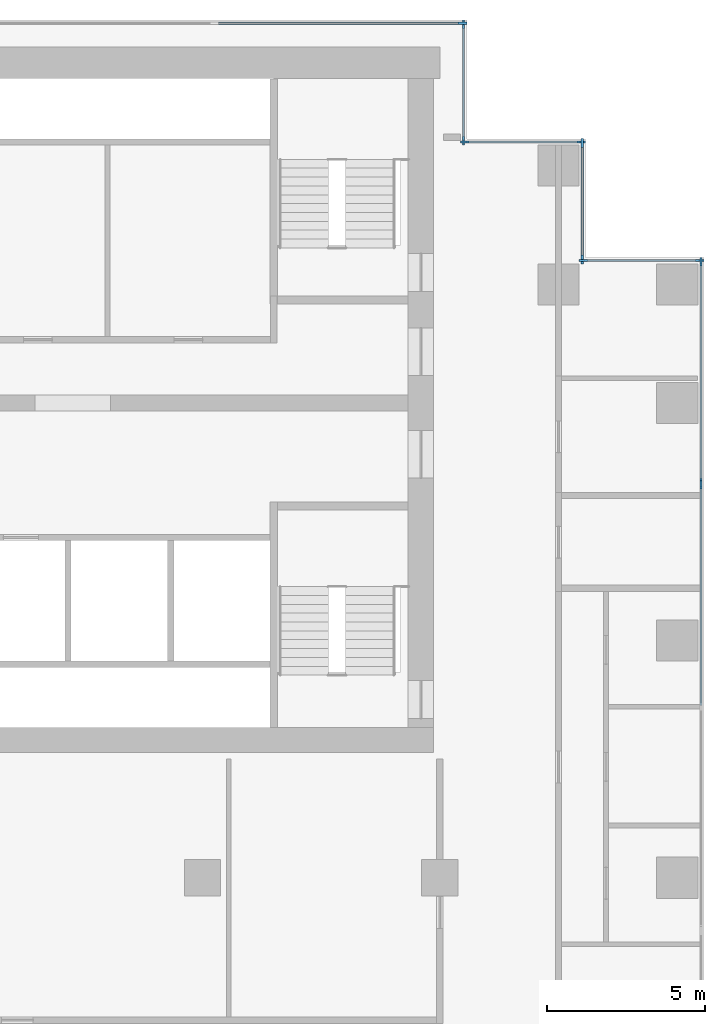
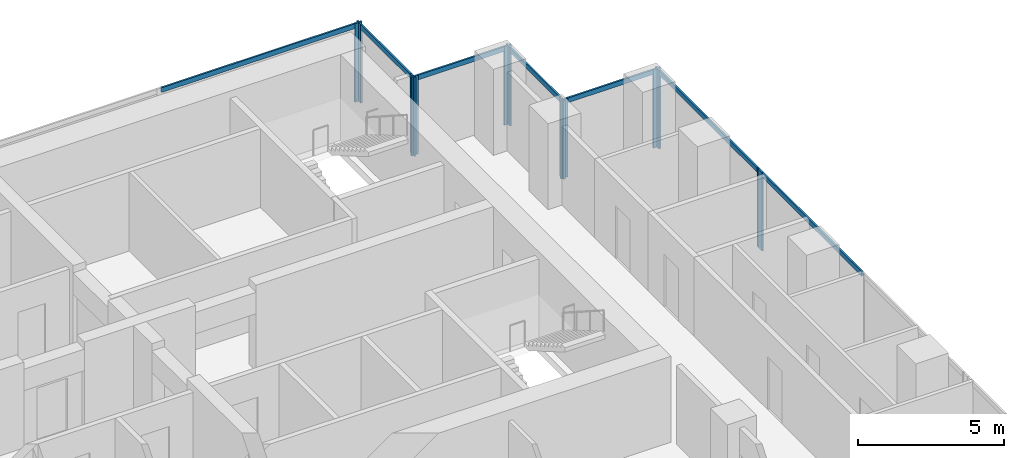
# One storey, part 5 of 10: 19 members, 7 elements without a shape of their own.
"""IFC4 building model written with IfcOpenShell, lengths in metres."""

from ifc_helpers import new_model, si_unit, direction, frame, origin, origin_2d, place, context, subcontext, project, spatial, rectangle, extrude, material, material_profile, profile_set, type_object, element, aggregate, save


model = new_model("IFC4")

# Units and contexts
model_context = context("Model", 3, precision=1e-05, world=origin(), true_north=direction((0.0, 1.0)))
body_context = subcontext(model_context, "Body", "Model", "MODEL_VIEW")
ifc_project = project(units=[si_unit("LENGTHUNIT", "METRE"), si_unit("AREAUNIT", "SQUARE_METRE"), si_unit("VOLUMEUNIT", "CUBIC_METRE"), si_unit("PLANEANGLEUNIT", "RADIAN"), si_unit("MASSUNIT", "GRAM", prefix="KILO")], contexts=[model_context])

# Site, building, storey
site_placement = place(None, origin())
site = spatial("IfcSite", under=ifc_project, at=site_placement, CompositionType="ELEMENT")
building_placement = place(site_placement, origin())
building = spatial("IfcBuilding", under=site, at=building_placement, Name="Pilkhan Gate Tower", CompositionType="ELEMENT")
storey_placement = place(building_placement, frame((0.0, 0.0, 128.800048828125)))
storey = spatial("IfcBuildingStorey", under=building, at=storey_placement, Name="L32", CompositionType="ELEMENT", Elevation=128.800048828125)

# Curtain wall, member
ifc_material_1 = material(Name="Pale anodised aluminium, clear low-iron double glazing", Category="aluminium")
curtain_wall_type = type_object("IfcCurtainWallType", Name="Office unitised curtain wall CW-O1", PredefinedType="USERDEFINED", material=ifc_material_1)
curtain_wall_1_placement = place(storey_placement, origin())
curtain_wall_1 = element("IfcCurtainWall", 1, at=curtain_wall_1_placement, inside=storey, type_object=curtain_wall_type, Name="Office unitised curtain wall CW-O1 L32 E", ObjectType="UNITISED CURTAIN WALL", PredefinedType="USERDEFINED")
ifc_material_2 = material(Name="Pale anodised aluminium", Category="aluminium")
ifc_material_profile_1 = material_profile(ifc_material_2, rectangle(XDim=0.070068359375, YDim=0.27490234375, at=origin_2d()), Name="Mullion 275x70")
ifc_profile_set_1 = profile_set([ifc_material_profile_1], Name="Pale anodised aluminium")
member_type_1 = type_object("IfcMemberType", Name="Mullion CW-O1 275x70", PredefinedType="MULLION", material=ifc_profile_set_1)
member_1_placement = place(storey_placement, frame((98.25, 79.9150390625, 0.0), z_axis=(0.0, 0.0, 1.0), x_axis=(-1.0, 0.0, 0.0)))
member_1 = element("IfcMember", 2, at=member_1_placement, type_object=member_type_1, Name="CW-O1 mullion 3", PredefinedType="MULLION", context=body_context, shape_type="SweptSolid", body=[
    extrude(rectangle(XDim=0.070068359375, YDim=0.27490234375, at=origin_2d()), origin(), (0.0, 0.0, 1.0), 3.300048828125),
])

# Curtain wall, members
curtain_wall_2_placement = place(storey_placement, origin())
curtain_wall_2 = element("IfcCurtainWall", 3, at=curtain_wall_2_placement, inside=storey, type_object=curtain_wall_type, Name="Office unitised curtain wall CW-O1 L32 E", ObjectType="UNITISED CURTAIN WALL", PredefinedType="USERDEFINED")
member_2_placement = place(storey_placement, frame((98.25, 79.985107421875, 0.0), z_axis=(0.0, 0.0, 1.0), x_axis=(-1.0, 0.0, 0.0)))
member_2 = element("IfcMember", 4, at=member_2_placement, type_object=member_type_1, Name="CW-O1 mullion 1", PredefinedType="MULLION", context=body_context, shape_type="SweptSolid", body=[
    extrude(rectangle(XDim=0.070068359375, YDim=0.27490234375, at=origin_2d()), origin(), (0.0, 0.0, 1.0), 3.300048828125),
])
member_3_placement = place(storey_placement, frame((98.25, 86.965087890625, 0.0), z_axis=(0.0, 0.0, 1.0), x_axis=(-1.0, 0.0, 0.0)))
member_3 = element("IfcMember", 5, at=member_3_placement, type_object=member_type_1, Name="CW-O1 mullion 2", PredefinedType="MULLION", context=body_context, shape_type="SweptSolid", body=[
    extrude(rectangle(XDim=0.070068359375, YDim=0.27490234375, at=origin_2d()), origin(), (0.0, 0.0, 1.0), 3.300048828125),
])

curtain_wall_3_placement = place(storey_placement, origin())
curtain_wall_3 = element("IfcCurtainWall", 6, at=curtain_wall_3_placement, inside=storey, type_object=curtain_wall_type, Name="Office unitised curtain wall CW-O1 L32 N", ObjectType="UNITISED CURTAIN WALL", PredefinedType="USERDEFINED")
member_4_placement = place(storey_placement, frame((94.534912109375, 87.0, 0.0), z_axis=(0.0, 0.0, 1.0), x_axis=(0.0, 1.0, 0.0)))
member_4 = element("IfcMember", 7, at=member_4_placement, type_object=member_type_1, Name="CW-O1 mullion 1", PredefinedType="MULLION", context=body_context, shape_type="SweptSolid", body=[
    extrude(rectangle(XDim=0.070068359375, YDim=0.27490234375, at=origin_2d()), origin(), (0.0, 0.0, 1.0), 3.300048828125),
])
member_5_placement = place(storey_placement, frame((98.215087890625, 87.0, 0.0), z_axis=(0.0, 0.0, 1.0), x_axis=(0.0, 1.0, 0.0)))
member_5 = element("IfcMember", 8, at=member_5_placement, type_object=member_type_1, Name="CW-O1 mullion 2", PredefinedType="MULLION", context=body_context, shape_type="SweptSolid", body=[
    extrude(rectangle(XDim=0.070068359375, YDim=0.27490234375, at=origin_2d()), origin(), (0.0, 0.0, 1.0), 3.300048828125),
])

curtain_wall_4_placement = place(storey_placement, origin())
curtain_wall_4 = element("IfcCurtainWall", 9, at=curtain_wall_4_placement, inside=storey, type_object=curtain_wall_type, Name="Office unitised curtain wall CW-O1 L32 E", ObjectType="UNITISED CURTAIN WALL", PredefinedType="USERDEFINED")
member_6_placement = place(storey_placement, frame((94.5, 87.034912109375, 0.0), z_axis=(0.0, 0.0, 1.0), x_axis=(-1.0, 0.0, 0.0)))
member_6 = element("IfcMember", 10, at=member_6_placement, type_object=member_type_1, Name="CW-O1 mullion 1", PredefinedType="MULLION", context=body_context, shape_type="SweptSolid", body=[
    extrude(rectangle(XDim=0.070068359375, YDim=0.27490234375, at=origin_2d()), origin(), (0.0, 0.0, 1.0), 3.300048828125),
])
member_7_placement = place(storey_placement, frame((94.5, 90.715087890625, 0.0), z_axis=(0.0, 0.0, 1.0), x_axis=(-1.0, 0.0, 0.0)))
member_7 = element("IfcMember", 11, at=member_7_placement, type_object=member_type_1, Name="CW-O1 mullion 2", PredefinedType="MULLION", context=body_context, shape_type="SweptSolid", body=[
    extrude(rectangle(XDim=0.070068359375, YDim=0.27490234375, at=origin_2d()), origin(), (0.0, 0.0, 1.0), 3.300048828125),
])

curtain_wall_5_placement = place(storey_placement, origin())
curtain_wall_5 = element("IfcCurtainWall", 12, at=curtain_wall_5_placement, inside=storey, type_object=curtain_wall_type, Name="Office unitised curtain wall CW-O1 L32 N", ObjectType="UNITISED CURTAIN WALL", PredefinedType="USERDEFINED")
member_8_placement = place(storey_placement, frame((90.784912109375, 90.75, 0.0), z_axis=(0.0, 0.0, 1.0), x_axis=(0.0, 1.0, 0.0)))
member_8 = element("IfcMember", 13, at=member_8_placement, type_object=member_type_1, Name="CW-O1 mullion 1", PredefinedType="MULLION", context=body_context, shape_type="SweptSolid", body=[
    extrude(rectangle(XDim=0.070068359375, YDim=0.27490234375, at=origin_2d()), origin(), (0.0, 0.0, 1.0), 3.300048828125),
])
member_9_placement = place(storey_placement, frame((94.465087890625, 90.75, 0.0), z_axis=(0.0, 0.0, 1.0), x_axis=(0.0, 1.0, 0.0)))
member_9 = element("IfcMember", 14, at=member_9_placement, type_object=member_type_1, Name="CW-O1 mullion 2", PredefinedType="MULLION", context=body_context, shape_type="SweptSolid", body=[
    extrude(rectangle(XDim=0.070068359375, YDim=0.27490234375, at=origin_2d()), origin(), (0.0, 0.0, 1.0), 3.300048828125),
])

curtain_wall_6_placement = place(storey_placement, origin())
curtain_wall_6 = element("IfcCurtainWall", 15, at=curtain_wall_6_placement, inside=storey, type_object=curtain_wall_type, Name="Office unitised curtain wall CW-O1 L32 E", ObjectType="UNITISED CURTAIN WALL", PredefinedType="USERDEFINED")
member_10_placement = place(storey_placement, frame((90.75, 90.784912109375, 0.0), z_axis=(0.0, 0.0, 1.0), x_axis=(-1.0, 0.0, 0.0)))
member_10 = element("IfcMember", 16, at=member_10_placement, type_object=member_type_1, Name="CW-O1 mullion 1", PredefinedType="MULLION", context=body_context, shape_type="SweptSolid", body=[
    extrude(rectangle(XDim=0.070068359375, YDim=0.27490234375, at=origin_2d()), origin(), (0.0, 0.0, 1.0), 3.300048828125),
])
member_11_placement = place(storey_placement, frame((90.75, 94.465087890625, 0.0), z_axis=(0.0, 0.0, 1.0), x_axis=(-1.0, 0.0, 0.0)))
member_11 = element("IfcMember", 17, at=member_11_placement, type_object=member_type_1, Name="CW-O1 mullion 2", PredefinedType="MULLION", context=body_context, shape_type="SweptSolid", body=[
    extrude(rectangle(XDim=0.070068359375, YDim=0.27490234375, at=origin_2d()), origin(), (0.0, 0.0, 1.0), 3.300048828125),
])

# Curtain wall, member
curtain_wall_7_placement = place(storey_placement, origin())
curtain_wall_7 = element("IfcCurtainWall", 18, at=curtain_wall_7_placement, inside=storey, type_object=curtain_wall_type, Name="Office unitised curtain wall CW-O1 L32 N", ObjectType="UNITISED CURTAIN WALL", PredefinedType="USERDEFINED")
member_12_placement = place(storey_placement, frame((90.715087890625, 94.5, 0.0), z_axis=(0.0, 0.0, 1.0), x_axis=(0.0, 1.0, 0.0)))
member_12 = element("IfcMember", 19, at=member_12_placement, type_object=member_type_1, Name="CW-O1 mullion 3", PredefinedType="MULLION", context=body_context, shape_type="SweptSolid", body=[
    extrude(rectangle(XDim=0.070068359375, YDim=0.27490234375, at=origin_2d()), origin(), (0.0, 0.0, 1.0), 3.300048828125),
])

# Member
ifc_material_profile_2 = material_profile(ifc_material_2, rectangle(XDim=0.070068359375, YDim=0.199951171875, at=origin_2d()), Name="Transom 200x70")
ifc_profile_set_2 = profile_set([ifc_material_profile_2], Name="Pale anodised aluminium")
member_type_2 = type_object("IfcMemberType", Name="Transom CW-O1 200x70", PredefinedType="USERDEFINED", material=ifc_profile_set_2)
member_13_placement = place(storey_placement, frame((98.25, 72.93505859375, 3.199951171875), z_axis=(0.0, 1.0, 0.0), x_axis=(-1.0, 0.0, 0.0)))
member_13 = element("IfcMember", 20, at=member_13_placement, type_object=member_type_2, Name="CW-O1 transom 2", ObjectType="TRANSOM", PredefinedType="USERDEFINED", context=body_context, shape_type="SweptSolid", body=[
    extrude(rectangle(XDim=0.070068359375, YDim=0.199951171875, at=origin_2d()), origin(), (0.0, 0.0, 1.0), 6.94482421875),
])

aggregate(curtain_wall_1, [member_1, member_13])

member_14_placement = place(storey_placement, frame((98.25, 80.02001953125, 3.199951171875), z_axis=(0.0, 1.0, 0.0), x_axis=(-1.0, 0.0, 0.0)))
member_14 = element("IfcMember", 21, at=member_14_placement, type_object=member_type_2, Name="CW-O1 transom 1", ObjectType="TRANSOM", PredefinedType="USERDEFINED", context=body_context, shape_type="SweptSolid", body=[
    extrude(rectangle(XDim=0.070068359375, YDim=0.199951171875, at=origin_2d()), origin(), (0.0, 0.0, 1.0), 6.909912109375),
])

aggregate(curtain_wall_2, [member_2, member_3, member_14])

member_15_placement = place(storey_placement, frame((94.570068359375, 87.0, 3.199951171875), z_axis=(1.0, 0.0, 0.0), x_axis=(0.0, 1.0, 0.0)))
member_15 = element("IfcMember", 22, at=member_15_placement, type_object=member_type_2, Name="CW-O1 transom 1", ObjectType="TRANSOM", PredefinedType="USERDEFINED", context=body_context, shape_type="SweptSolid", body=[
    extrude(rectangle(XDim=0.070068359375, YDim=0.199951171875, at=origin_2d()), origin(), (0.0, 0.0, 1.0), 3.60986328125),
])

aggregate(curtain_wall_3, [member_4, member_5, member_15])

member_16_placement = place(storey_placement, frame((94.5, 87.070068359375, 3.199951171875), z_axis=(0.0, 1.0, 0.0), x_axis=(-1.0, 0.0, 0.0)))
member_16 = element("IfcMember", 23, at=member_16_placement, type_object=member_type_2, Name="CW-O1 transom 1", ObjectType="TRANSOM", PredefinedType="USERDEFINED", context=body_context, shape_type="SweptSolid", body=[
    extrude(rectangle(XDim=0.070068359375, YDim=0.199951171875, at=origin_2d()), origin(), (0.0, 0.0, 1.0), 3.60986328125),
])

aggregate(curtain_wall_4, [member_6, member_7, member_16])

member_17_placement = place(storey_placement, frame((90.820068359375, 90.75, 3.199951171875), z_axis=(1.0, 0.0, 0.0), x_axis=(0.0, 1.0, 0.0)))
member_17 = element("IfcMember", 24, at=member_17_placement, type_object=member_type_2, Name="CW-O1 transom 1", ObjectType="TRANSOM", PredefinedType="USERDEFINED", context=body_context, shape_type="SweptSolid", body=[
    extrude(rectangle(XDim=0.070068359375, YDim=0.199951171875, at=origin_2d()), origin(), (0.0, 0.0, 1.0), 3.60986328125),
])

aggregate(curtain_wall_5, [member_8, member_9, member_17])

member_18_placement = place(storey_placement, frame((90.75, 90.820068359375, 3.199951171875), z_axis=(0.0, 1.0, 0.0), x_axis=(-1.0, 0.0, 0.0)))
member_18 = element("IfcMember", 25, at=member_18_placement, type_object=member_type_2, Name="CW-O1 transom 1", ObjectType="TRANSOM", PredefinedType="USERDEFINED", context=body_context, shape_type="SweptSolid", body=[
    extrude(rectangle(XDim=0.070068359375, YDim=0.199951171875, at=origin_2d()), origin(), (0.0, 0.0, 1.0), 3.60986328125),
])

aggregate(curtain_wall_6, [member_10, member_11, member_18])

member_19_placement = place(storey_placement, frame((82.909912109375, 94.5, 3.199951171875), z_axis=(1.0, 0.0, 0.0), x_axis=(0.0, 1.0, 0.0)))
member_19 = element("IfcMember", 26, at=member_19_placement, type_object=member_type_2, Name="CW-O1 transom 2", ObjectType="TRANSOM", PredefinedType="USERDEFINED", context=body_context, shape_type="SweptSolid", body=[
    extrude(rectangle(XDim=0.070068359375, YDim=0.199951171875, at=origin_2d()), origin(), (0.0, 0.0, 1.0), 7.77001953125),
])

aggregate(curtain_wall_7, [member_12, member_19])

save(model, "model.ifc")
